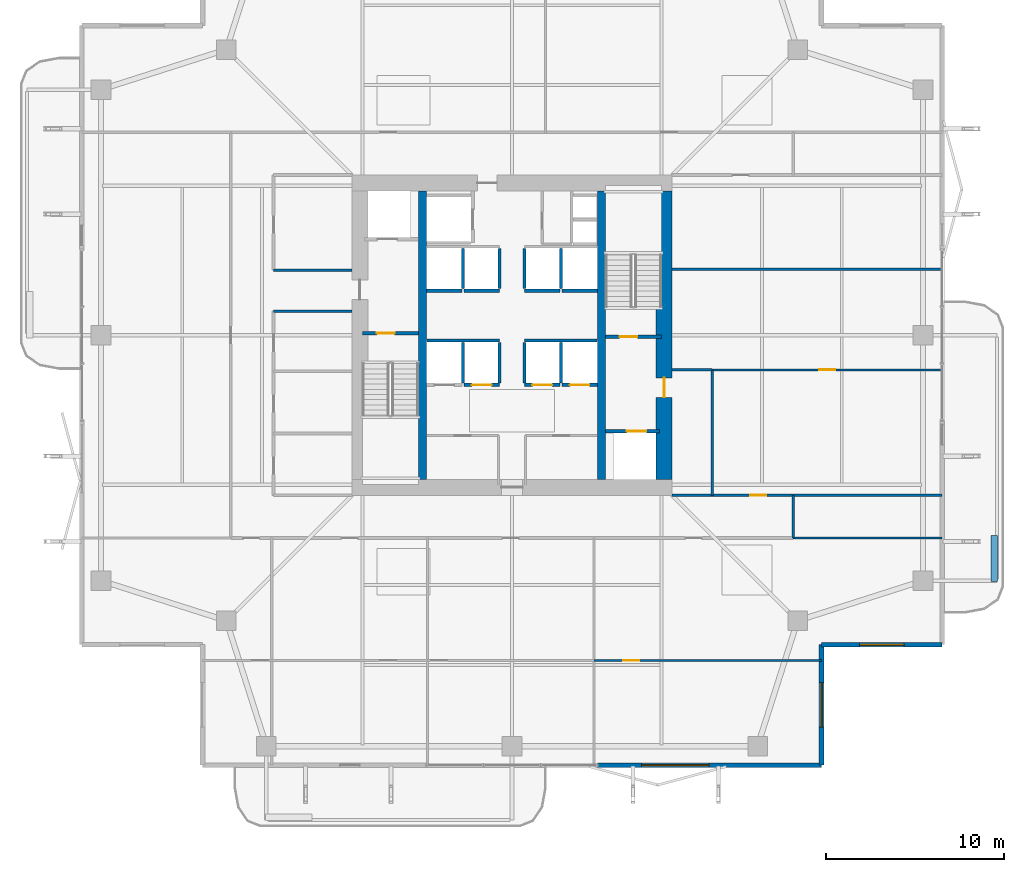
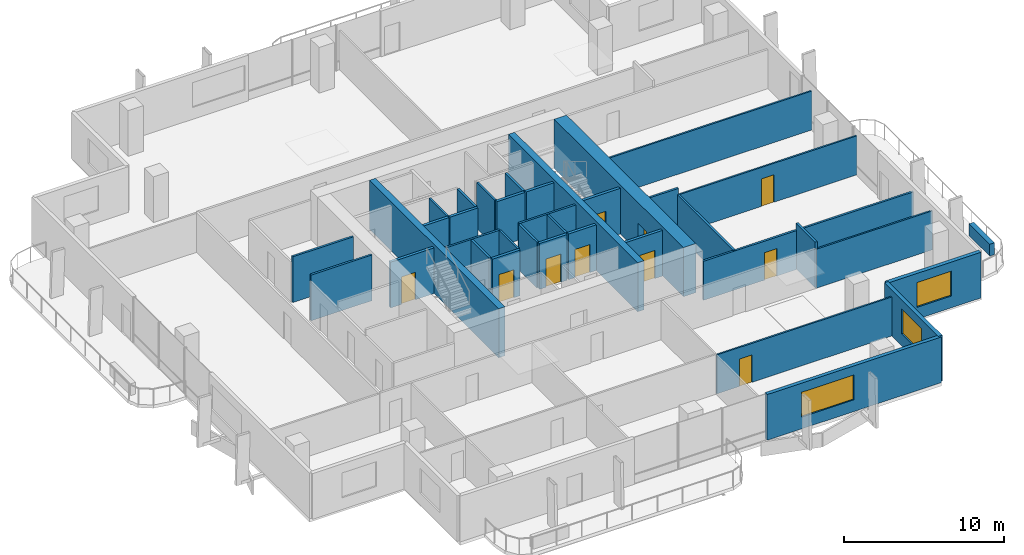
# One storey, part 20 of 25: 37 walls, 10 doors, 3 windows, 13 openings.
"""IFC4 building model written with IfcOpenShell, lengths in metres."""

from ifc_helpers import new_model, si_unit, direction, frame, frame_2d, origin, place, context, subcontext, project, spatial, rectangle, extrude, material, layer, layer_set, type_object, element, fill, save


model = new_model("IFC4")

# Units and contexts
model_context = context("Model", 3, precision=1e-05, world=origin(), true_north=direction((0.0, 1.0)))
body_context = subcontext(model_context, "Body", "Model", "MODEL_VIEW")
ifc_project = project(units=[si_unit("LENGTHUNIT", "METRE"), si_unit("AREAUNIT", "SQUARE_METRE"), si_unit("VOLUMEUNIT", "CUBIC_METRE"), si_unit("PLANEANGLEUNIT", "RADIAN"), si_unit("MASSUNIT", "GRAM", prefix="KILO")], contexts=[model_context])

# Site, building, storey
site_placement = place(None, origin())
site = spatial("IfcSite", under=ifc_project, at=site_placement, CompositionType="ELEMENT")
building_placement = place(site_placement, origin())
building = spatial("IfcBuilding", under=site, at=building_placement, Name="Belovzor Exchange Tower", CompositionType="ELEMENT")
storey_placement = place(building_placement, frame((0.0, 0.0, 149.550048828125)))
storey = spatial("IfcBuildingStorey", under=building, at=storey_placement, Name="L36", CompositionType="ELEMENT", Elevation=149.550048828125)

# Wall, opening, door
ifc_material_1 = material(Name="Acoustic Plasterboard on Galvanised Studs", Category="gypsum")
ifc_layer_1 = layer(ifc_material_1, 0.1201171875)
ifc_layer_set_1 = layer_set([ifc_layer_1], Name="Acoustic Plasterboard on Galvanised Studs")
wall_type_1 = type_object("IfcWallType", Name="Acoustic Double-Stud Partition Wall 120", PredefinedType="PARTITIONING", material=ifc_layer_set_1)
wall_1_placement = place(storey_placement, frame((33.404052734375, 10.51708984375, 0.0), z_axis=(0.0, 0.0, 1.0), x_axis=(1.0, 0.0, 0.0)))
wall_1 = element("IfcWall", 1, at=wall_1_placement, inside=storey, type_object=wall_type_1, Name="W-P120 Partition Wall W-L36-SHDIV-3", PredefinedType="PARTITIONING", context=body_context, shape_type="SweptSolid", body=[
    extrude(rectangle(XDim=12.7958984375, YDim=0.1201171875, at=frame_2d((6.39794921875, 0.0))), origin(), (0.0, 0.0, 1.0), 2.97998046875),
])
opening_1_placement = place(wall_1_placement, frame((1.636962890625, 0.0, 0.0)))
opening_1 = element("IfcOpeningElement", 2, at=opening_1_placement, cuts=wall_1, Name="Opening D-INT-090", PredefinedType="OPENING", context=body_context, shape_type="SweptSolid", body=[
    extrude(rectangle(XDim=0.89990234375, YDim=2.10009765625, at=frame_2d((0.449951171875, 1.050048828125))), frame((0.0, 0.070068359375, 0.0), z_axis=(0.0, -1.0, 0.0), x_axis=(1.0, 0.0, 0.0)), (0.0, 0.0, 1.0), 0.14013671875),
])
ifc_material_2 = material(Name="Veneered Hardwood Acoustic Leaf", Category="wood")
door_type_1 = type_object("IfcDoorType", Name="Trading Suite Acoustic Single Door 900x2100", OperationType="NOTDEFINED", PredefinedType="DOOR", material=ifc_material_2)
door_1_placement = place(opening_1_placement, origin())
door_1 = element("IfcDoor", 3, at=door_1_placement, inside=storey, type_object=door_type_1, Name="D-INT-090 Trading Suite Acoustic Single Door 900x2100", OperationType="SINGLE_SWING_LEFT", OverallHeight=2.10009765625, OverallWidth=0.89990234375, PredefinedType="DOOR", context=body_context, shape_type="SweptSolid", body=[
    extrude(rectangle(XDim=0.89990234375, YDim=2.10009765625, at=frame_2d((0.449951171875, 1.050048828125))), frame((0.0, 0.02490234375, 0.0), z_axis=(0.0, -1.0, 0.0), x_axis=(1.0, 0.0, 0.0)), (0.0, 0.0, 1.0), 0.050048828125),
])
fill(opening_1, door_1)

wall_2_placement = place(storey_placement, frame((40.050048828125, 26.85009765625, 0.0), z_axis=(0.0, 0.0, 1.0), x_axis=(1.0, 0.0, 0.0)))
wall_2 = element("IfcWall", 4, at=wall_2_placement, inside=storey, type_object=wall_type_1, Name="W-P120 Partition Wall W-L36-EDIV-1", PredefinedType="PARTITIONING", context=body_context, shape_type="SweptSolid", body=[
    extrude(rectangle(XDim=12.919921875, YDim=0.1201171875, at=frame_2d((6.4599609375, 0.0))), origin(), (0.0, 0.0, 1.0), 2.97998046875),
])
opening_2_placement = place(wall_2_placement, frame((6.010009765625, 0.0, 0.0)))
opening_2 = element("IfcOpeningElement", 5, at=opening_2_placement, cuts=wall_2, Name="Opening D-INT-090", PredefinedType="OPENING", context=body_context, shape_type="SweptSolid", body=[
    extrude(rectangle(XDim=0.89990234375, YDim=2.10009765625, at=frame_2d((0.449951171875, 1.050048828125))), frame((0.0, 0.070068359375, 0.0), z_axis=(0.0, -1.0, 0.0), x_axis=(1.0, 0.0, 0.0)), (0.0, 0.0, 1.0), 0.14013671875),
])
door_2_placement = place(opening_2_placement, origin())
door_2 = element("IfcDoor", 6, at=door_2_placement, inside=storey, type_object=door_type_1, Name="D-INT-090 Trading Suite Acoustic Single Door 900x2100", OperationType="SINGLE_SWING_LEFT", OverallHeight=2.10009765625, OverallWidth=0.89990234375, PredefinedType="DOOR", context=body_context, shape_type="SweptSolid", body=[
    extrude(rectangle(XDim=0.89990234375, YDim=2.10009765625, at=frame_2d((0.449951171875, 1.050048828125))), frame((0.0, 0.02490234375, 0.0), z_axis=(0.0, -1.0, 0.0), x_axis=(1.0, 0.0, 0.0)), (0.0, 0.0, 1.0), 0.050048828125),
])
fill(opening_2, door_2)

# Walls
wall_3_placement = place(storey_placement, frame((37.800048828125, 32.5, 0.0), z_axis=(0.0, 0.0, 1.0), x_axis=(1.0, 0.0, 0.0)))
element("IfcWall", 7, at=wall_3_placement, inside=storey, type_object=wall_type_1, Name="W-P120 Partition Wall W-L36-EDIV-2", PredefinedType="PARTITIONING", context=body_context, shape_type="SweptSolid", body=[
    extrude(rectangle(XDim=15.169921875, YDim=0.1201171875, at=frame_2d((7.5849609375, 0.0))), origin(), (0.0, 0.0, 1.0), 2.97998046875),
])
wall_4_placement = place(storey_placement, frame((44.60009765625, 17.39990234375, 0.0), z_axis=(0.0, 0.0, 1.0), x_axis=(1.0, 0.0, 0.0)))
element("IfcWall", 8, at=wall_4_placement, inside=storey, type_object=wall_type_1, Name="W-P120 Partition Wall W-L36-END-SE", PredefinedType="PARTITIONING", context=body_context, shape_type="SweptSolid", body=[
    extrude(rectangle(XDim=8.369873046875, YDim=0.1201171875, at=frame_2d((4.18505859375, 0.0))), origin(), (0.0, 0.0, 1.0), 2.97998046875),
])
ifc_material_3 = material(Name="Fire-Rated Gypsum Block and Mineral Wool", Category="gypsum")
ifc_layer_2 = layer(ifc_material_3, 0.14990234375)
ifc_layer_set_2 = layer_set([ifc_layer_2], Name="Fire-Rated Gypsum Block and Mineral Wool")
wall_type_2 = type_object("IfcWallType", Name="Fire-Rated Gypsum Block Corridor Wall 150", PredefinedType="PARTITIONING", material=ifc_layer_set_2)
for number, where, z_axis, x_axis, name in (
    (9, (15.39990234375, 30.14990234375, 0.0), (0.0, 0.0, 1.0), (1.0, 0.0, 0.0), "W-P150 Partition Wall W-L36-WIC-N"),
    (10, (15.39990234375, 32.449951171875, 0.0), (0.0, 0.0, 1.0), (1.0, 0.0, 0.0), "W-P150 Partition Wall W-L36-CFW-N"),
):
    element("IfcWall", number, at=place(storey_placement, frame(where, z_axis=z_axis, x_axis=x_axis)), inside=storey, type_object=wall_type_2, Name=name, PredefinedType="PARTITIONING", context=body_context, shape_type="SweptSolid", body=[
        extrude(rectangle(XDim=4.400146484375, YDim=0.14990234375, at=frame_2d((2.2001953125, 0.0))), origin(), (0.0, 0.0, 1.0), 3.494873046875),
    ])
wall_5_placement = place(storey_placement, frame((37.800048828125, 26.85009765625, 0.0), z_axis=(0.0, 0.0, 1.0), x_axis=(1.0, 0.0, 0.0)))
element("IfcWall", 11, at=wall_5_placement, inside=storey, type_object=wall_type_2, Name="W-P150 Partition Wall W-L36-CFE-N", PredefinedType="PARTITIONING", context=body_context, shape_type="SweptSolid", body=[
    extrude(rectangle(XDim=2.25, YDim=0.14990234375, at=frame_2d((1.125, 0.0))), origin(), (0.0, 0.0, 1.0), 3.494873046875),
])
wall_6_placement = place(storey_placement, frame((40.050048828125, 19.800048828125, 0.0), z_axis=(0.0, 0.0, 1.0), x_axis=(0.0, 1.0, 0.0)))
element("IfcWall", 12, at=wall_6_placement, inside=storey, type_object=wall_type_2, Name="W-P150 Partition Wall W-L36-CFE-E", PredefinedType="PARTITIONING", context=body_context, shape_type="SweptSolid", body=[
    extrude(rectangle(XDim=7.050048828125, YDim=0.14990234375, at=frame_2d((3.52490234375, 0.0))), origin(), (0.0, 0.0, 1.0), 3.030029296875),
])
wall_7_placement = place(storey_placement, frame((44.60009765625, 17.39990234375, 0.0), z_axis=(0.0, 0.0, 1.0), x_axis=(0.0, 1.0, 0.0)))
element("IfcWall", 13, at=wall_7_placement, inside=storey, type_object=wall_type_2, Name="W-P150 Partition Wall W-L36-END-ES", PredefinedType="PARTITIONING", context=body_context, shape_type="SweptSolid", body=[
    extrude(rectangle(XDim=2.400146484375, YDim=0.14990234375, at=frame_2d((1.2001953125, 0.0))), origin(), (0.0, 0.0, 1.0), 3.494873046875),
])

# Wall, opening, door
wall_8_placement = place(storey_placement, frame((37.800048828125, 19.800048828125, 0.0), z_axis=(0.0, 0.0, 1.0), x_axis=(1.0, 0.0, 0.0)))
wall_8 = element("IfcWall", 14, at=wall_8_placement, inside=storey, type_object=wall_type_2, Name="W-P150 Partition Wall W-L36-CS-IN", PredefinedType="PARTITIONING", context=body_context, shape_type="SweptSolid", body=[
    extrude(rectangle(XDim=15.169921875, YDim=0.14990234375, at=frame_2d((7.5849609375, 0.0))), origin(), (0.0, 0.0, 1.0), 2.97998046875),
])
opening_3_placement = place(wall_8_placement, frame((4.39990234375, 0.0, 0.0)))
opening_3 = element("IfcOpeningElement", 15, at=opening_3_placement, cuts=wall_8, Name="Opening D-INT-090", PredefinedType="OPENING", context=body_context, shape_type="SweptSolid", body=[
    extrude(rectangle(XDim=0.89990234375, YDim=2.10009765625, at=frame_2d((0.449951171875, 1.050048828125))), frame((0.0, 0.0849609375, 0.0), z_axis=(0.0, -1.0, 0.0), x_axis=(1.0, 0.0, 0.0)), (0.0, 0.0, 1.0), 0.169921875),
])
door_3_placement = place(opening_3_placement, origin())
door_3 = element("IfcDoor", 16, at=door_3_placement, inside=storey, type_object=door_type_1, Name="D-INT-090 Trading Suite Acoustic Single Door 900x2100", OperationType="SINGLE_SWING_LEFT", OverallHeight=2.10009765625, OverallWidth=0.89990234375, PredefinedType="DOOR", context=body_context, shape_type="SweptSolid", body=[
    extrude(rectangle(XDim=0.89990234375, YDim=2.10009765625, at=frame_2d((0.449951171875, 1.050048828125))), frame((0.0, 0.02490234375, 0.0), z_axis=(0.0, -1.0, 0.0), x_axis=(1.0, 0.0, 0.0)), (0.0, 0.0, 1.0), 0.050048828125),
])
fill(opening_3, door_3)

# Wall, opening, window
ifc_material_4 = material(Name="Precast concrete C40/50", Category="concrete")
ifc_layer_3 = layer(ifc_material_4, 0.280029296875)
ifc_layer_set_3 = layer_set([ifc_layer_3], Name="Precast concrete C40/50")
wall_type_3 = type_object("IfcWallType", Name="Precast Concrete Notched Corner Frame Wall 280", PredefinedType="SOLIDWALL", material=ifc_layer_set_3)
wall_9_placement = place(storey_placement, frame((52.969970703125, 11.39990234375, 0.0), z_axis=(0.0, 0.0, 1.0), x_axis=(-1.0, 0.0, 0.0)))
wall_9 = element("IfcWall", 17, at=wall_9_placement, inside=storey, type_object=wall_type_3, Name="W-CRN280 Precast Concrete Notched Corner Frame Wall 280 L36", PredefinedType="SOLIDWALL", context=body_context, shape_type="SweptSolid", body=[
    extrude(rectangle(XDim=6.77001953125, YDim=0.280029296875, at=frame_2d((3.385009765625, 0.0))), origin(), (0.0, 0.0, 1.0), 3.494873046875),
])
opening_4_placement = place(wall_9_placement, frame((2.135009765625, 0.0, 0.89990234375)))
opening_4 = element("IfcOpeningElement", 18, at=opening_4_placement, cuts=wall_9, Name="Opening WN-CRN250", PredefinedType="OPENING", context=body_context, shape_type="SweptSolid", body=[
    extrude(rectangle(XDim=2.5, YDim=1.89990234375, at=frame_2d((1.25, 0.949951171875))), frame((0.0, 0.14990234375, 0.0), z_axis=(0.0, -1.0, 0.0), x_axis=(1.0, 0.0, 0.0)), (0.0, 0.0, 1.0), 0.300048828125),
])
ifc_material_5 = material(Name="Thermally Broken Aluminium and Triple Glazing", Category="aluminium")
window_type_1 = type_object("IfcWindowType", Name="Streamline Moderne Corner Wrap Ribbon Window 2500x1900", PartitioningType="SINGLE_PANEL", PredefinedType="WINDOW", material=ifc_material_5)
window_1_placement = place(opening_4_placement, origin())
window_1 = element("IfcWindow", 19, at=window_1_placement, inside=storey, type_object=window_type_1, Name="WN-CRN250 Streamline Moderne Corner Wrap Ribbon Window 2500x1900", OverallHeight=1.89990234375, OverallWidth=2.5, PartitioningType="SINGLE_PANEL", PredefinedType="WINDOW", context=body_context, shape_type="SweptSolid", body=[
    extrude(rectangle(XDim=2.5, YDim=1.89990234375, at=frame_2d((1.25, 0.949951171875))), frame((0.0, 0.030029296875, 0.0), z_axis=(0.0, -1.0, 0.0), x_axis=(1.0, 0.0, 0.0)), (0.0, 0.0, 1.0), 0.06005859375),
])
fill(opening_4, window_1)

wall_10_placement = place(storey_placement, frame((46.199951171875, 11.39990234375, 0.0), z_axis=(0.0, 0.0, 1.0), x_axis=(0.0, -1.0, 0.0)))
wall_10 = element("IfcWall", 20, at=wall_10_placement, inside=storey, type_object=wall_type_3, Name="W-CRN280 Precast Concrete Notched Corner Frame Wall 280 L36", PredefinedType="SOLIDWALL", context=body_context, shape_type="SweptSolid", body=[
    extrude(rectangle(XDim=6.77001953125, YDim=0.280029296875, at=frame_2d((3.385009765625, 0.0))), origin(), (0.0, 0.0, 1.0), 3.494873046875),
])
opening_5_placement = place(wall_10_placement, frame((2.135009765625, 0.0, 0.89990234375)))
opening_5 = element("IfcOpeningElement", 21, at=opening_5_placement, cuts=wall_10, Name="Opening WN-CRN250", PredefinedType="OPENING", context=body_context, shape_type="SweptSolid", body=[
    extrude(rectangle(XDim=2.5, YDim=1.89990234375, at=frame_2d((1.25, 0.949951171875))), frame((0.0, 0.14990234375, 0.0), z_axis=(0.0, -1.0, 0.0), x_axis=(1.0, 0.0, 0.0)), (0.0, 0.0, 1.0), 0.300048828125),
])
window_2_placement = place(opening_5_placement, origin())
window_2 = element("IfcWindow", 22, at=window_2_placement, inside=storey, type_object=window_type_1, Name="WN-CRN250 Streamline Moderne Corner Wrap Ribbon Window 2500x1900", OverallHeight=1.89990234375, OverallWidth=2.5, PartitioningType="SINGLE_PANEL", PredefinedType="WINDOW", context=body_context, shape_type="SweptSolid", body=[
    extrude(rectangle(XDim=2.5, YDim=1.89990234375, at=frame_2d((1.25, 0.949951171875))), frame((0.0, 0.030029296875, 0.0), z_axis=(0.0, -1.0, 0.0), x_axis=(1.0, 0.0, 0.0)), (0.0, 0.0, 1.0), 0.06005859375),
])
fill(opening_5, window_2)

ifc_material_6 = material(Name="Precast concrete C40/50", Category="concrete")
ifc_layer_4 = layer(ifc_material_6, 0.260009765625)
ifc_layer_set_4 = layer_set([ifc_layer_4], Name="Precast concrete C40/50")
wall_type_4 = type_object("IfcWallType", Name="Precast Concrete Perimeter Loggia Frame Wall 260", PredefinedType="SOLIDWALL", material=ifc_layer_set_4)
wall_11_placement = place(storey_placement, frame((46.199951171875, 4.6298828125, 0.0), z_axis=(0.0, 0.0, 1.0), x_axis=(-1.0, 0.0, 0.0)))
wall_11 = element("IfcWall", 23, at=wall_11_placement, inside=storey, type_object=wall_type_4, Name="W-EXT260 Precast Concrete Perimeter Loggia Frame Wall 260 L36", PredefinedType="SOLIDWALL", context=body_context, shape_type="SweptSolid", body=[
    extrude(rectangle(XDim=12.599853515625, YDim=0.260009765625, at=frame_2d((6.2998046875, 0.0))), origin(), (0.0, 0.0, 1.0), 3.494873046875),
])
opening_6_placement = place(wall_11_placement, frame((6.31494140625, 0.0, 0.89990234375)))
opening_6 = element("IfcOpeningElement", 24, at=opening_6_placement, cuts=wall_11, Name="Opening WN-RIB380", PredefinedType="OPENING", context=body_context, shape_type="SweptSolid", body=[
    extrude(rectangle(XDim=3.800048828125, YDim=1.89990234375, at=frame_2d((1.89990234375, 0.949951171875))), frame((0.0, 0.139892578125, 0.0), z_axis=(0.0, -1.0, 0.0), x_axis=(1.0, 0.0, 0.0)), (0.0, 0.0, 1.0), 0.280029296875),
])
ifc_material_7 = material(Name="Thermally Broken Aluminium and Triple Glazing", Category="aluminium")
window_type_2 = type_object("IfcWindowType", Name="Streamline Moderne Horizontal Ribbon Window 3800x1900", PartitioningType="SINGLE_PANEL", PredefinedType="WINDOW", material=ifc_material_7)
window_3_placement = place(opening_6_placement, origin())
window_3 = element("IfcWindow", 25, at=window_3_placement, inside=storey, type_object=window_type_2, Name="WN-RIB380 Streamline Moderne Horizontal Ribbon Window 3800x1900", OverallHeight=1.89990234375, OverallWidth=3.800048828125, PartitioningType="SINGLE_PANEL", PredefinedType="WINDOW", context=body_context, shape_type="SweptSolid", body=[
    extrude(rectangle(XDim=3.800048828125, YDim=1.89990234375, at=frame_2d((1.89990234375, 0.949951171875))), frame((0.0, 0.030029296875, 0.0), z_axis=(0.0, -1.0, 0.0), x_axis=(1.0, 0.0, 0.0)), (0.0, 0.0, 1.0), 0.06005859375),
])
fill(opening_6, window_3)

# Walls
ifc_material_8 = material(Name="Precast concrete C40/50", Category="concrete")
ifc_layer_5 = layer(ifc_material_8, 0.35009765625)
ifc_layer_set_5 = layer_set([ifc_layer_5], Name="Precast concrete C40/50")
wall_type_5 = type_object("IfcWallType", Name="Precast Concrete Structural Tree Planter Trough 350", PredefinedType="PARAPET", material=ifc_layer_set_5)
wall_12_placement = place(storey_placement, frame((55.89990234375, 14.949951171875, 0.0), z_axis=(0.0, 0.0, 1.0), x_axis=(0.0, 1.0, 0.0)))
element("IfcWall", 26, at=wall_12_placement, inside=storey, type_object=wall_type_5, Name="PT-350 Precast Concrete Structural Tree Planter Trough 350 L36", PredefinedType="PARAPET", context=body_context, shape_type="SweptSolid", body=[
    extrude(rectangle(XDim=2.60009765625, YDim=0.35009765625, at=frame_2d((1.300048828125, 0.0))), origin(), (0.0, 0.0, 1.0), 0.89990234375),
])
ifc_material_9 = material(Name="Concrete C50/60", Category="concrete")
ifc_layer_6 = layer(ifc_material_9, 0.449951171875)
ifc_layer_set_6 = layer_set([ifc_layer_6], Name="Concrete C50/60")
wall_type_6 = type_object("IfcWallType", Name="Reinforced Concrete Core Internal Web Wall 450", PredefinedType="SHEAR", material=ifc_layer_set_6)
for number, where, z_axis, x_axis, name in (
    (27, (23.77490234375, 20.699951171875, 0.0), (0.0, 0.0, 1.0), (0.0, 1.0, 0.0), "CW-W045 Core Internal Web Wall L36 WL"),
    (28, (33.824951171875, 20.699951171875, 0.0), (0.0, 0.0, 1.0), (0.0, 1.0, 0.0), "CW-W045 Core Internal Web Wall L36 ER"),
):
    element("IfcWall", number, at=place(storey_placement, frame(where, z_axis=z_axis, x_axis=x_axis)), inside=storey, type_object=wall_type_6, Name=name, PredefinedType="SHEAR", context=body_context, shape_type="SweptSolid", body=[
        extrude(rectangle(XDim=16.199951171875, YDim=0.449951171875, at=frame_2d((8.10009765625, 0.0))), origin(), (0.0, 0.0, 1.0), 3.75),
    ])
ifc_material_10 = material(Name="Concrete C50/60", Category="concrete")
ifc_layer_7 = layer(ifc_material_10, 0.14990234375)
ifc_layer_set_7 = layer_set([ifc_layer_7], Name="Concrete C50/60")
wall_type_7 = type_object("IfcWallType", Name="Reinforced Concrete Core Riser Shear Wall 150", PredefinedType="SHEAR", material=ifc_layer_set_7)
for number, where, z_axis, x_axis, name in (
    (29, (24.02001953125, 28.5, 0.0), (0.0, 0.0, 1.0), (1.0, 0.0, 0.0), "W-C150S Core Shaft Wall W-SHB-L36-PLM-NW"),
    (30, (29.5, 28.5, 0.0), (0.0, 0.0, 1.0), (1.0, 0.0, 0.0), "W-C150S Core Shaft Wall W-SHB-L36-PLM-NE"),
):
    element("IfcWall", number, at=place(storey_placement, frame(where, z_axis=z_axis, x_axis=x_axis)), inside=storey, type_object=wall_type_7, Name=name, PredefinedType="SHEAR", context=body_context, shape_type="SweptSolid", body=[
        extrude(rectangle(XDim=4.080078125, YDim=0.14990234375, at=frame_2d((2.0400390625, 0.0))), origin(), (0.0, 0.0, 1.0), 3.494873046875),
    ])
for number, where, z_axis, x_axis, name in (
    (31, (26.050048828125, 26.1201171875, 0.0), (0.0, 0.0, 1.0), (0.0, 1.0, 0.0), "W-C150S Core Shaft Wall W-SHD-L36-PLM-1"),
    (32, (28.10009765625, 26.1201171875, 0.0), (0.0, 0.0, 1.0), (0.0, 1.0, 0.0), "W-C150S Core Shaft Wall W-SHD-L36-PLM-2"),
    (33, (29.5, 26.1201171875, 0.0), (0.0, 0.0, 1.0), (0.0, 1.0, 0.0), "W-C150S Core Shaft Wall W-SHD-L36-PLM-3"),
    (34, (31.550048828125, 26.1201171875, 0.0), (0.0, 0.0, 1.0), (0.0, 1.0, 0.0), "W-C150S Core Shaft Wall W-SHD-L36-PLM-4"),
):
    element("IfcWall", number, at=place(storey_placement, frame(where, z_axis=z_axis, x_axis=x_axis)), inside=storey, type_object=wall_type_7, Name=name, PredefinedType="SHEAR", context=body_context, shape_type="SweptSolid", body=[
        extrude(rectangle(XDim=2.27978515625, YDim=0.14990234375, at=frame_2d((1.139892578125, 0.0))), origin(), (0.0, 0.0, 1.0), 3.494873046875),
    ])
for number, where, z_axis, x_axis, name in (
    (35, (26.050048828125, 31.419921875, 0.0), (0.0, 0.0, 1.0), (0.0, 1.0, 0.0), "W-C150S Core Shaft Wall W-SHD-L36-PLH-1"),
    (36, (28.10009765625, 31.419921875, 0.0), (0.0, 0.0, 1.0), (0.0, 1.0, 0.0), "W-C150S Core Shaft Wall W-SHD-L36-PLH-2"),
    (37, (29.5, 31.419921875, 0.0), (0.0, 0.0, 1.0), (0.0, 1.0, 0.0), "W-C150S Core Shaft Wall W-SHD-L36-PLH-3"),
    (38, (31.550048828125, 31.419921875, 0.0), (0.0, 0.0, 1.0), (0.0, 1.0, 0.0), "W-C150S Core Shaft Wall W-SHD-L36-PLH-4"),
):
    element("IfcWall", number, at=place(storey_placement, frame(where, z_axis=z_axis, x_axis=x_axis)), inside=storey, type_object=wall_type_7, Name=name, PredefinedType="SHEAR", context=body_context, shape_type="SweptSolid", body=[
        extrude(rectangle(XDim=2.239990234375, YDim=0.14990234375, at=frame_2d((1.1201171875, 0.0))), origin(), (0.0, 0.0, 1.0), 3.494873046875),
    ])

# Wall, opening, door
ifc_material_11 = material(Name="Concrete C50/60", Category="concrete")
ifc_layer_8 = layer(ifc_material_11, 0.199951171875)
ifc_layer_set_8 = layer_set([ifc_layer_8], Name="Concrete C50/60")
wall_type_8 = type_object("IfcWallType", Name="Reinforced Concrete Core Shaft Shear Wall 200", PredefinedType="SHEAR", material=ifc_layer_set_8)
wall_13_placement = place(storey_placement, frame((20.39990234375, 28.89990234375, 0.0), z_axis=(0.0, 0.0, 1.0), x_axis=(1.0, 0.0, 0.0)))
wall_13 = element("IfcWall", 39, at=wall_13_placement, inside=storey, type_object=wall_type_8, Name="W-C200S Core Shaft Wall W-CORE-L36-FFLW1", PredefinedType="SHEAR", context=body_context, shape_type="SweptSolid", body=[
    extrude(rectangle(XDim=3.150146484375, YDim=0.199951171875, at=frame_2d((1.5751953125, 0.0))), origin(), (0.0, 0.0, 1.0), 3.494873046875),
])
opening_7_placement = place(wall_13_placement, frame((0.800048828125, 0.0, 0.0)))
opening_7 = element("IfcOpeningElement", 40, at=opening_7_placement, cuts=wall_13, Name="Opening D-FD90-100", PredefinedType="OPENING", context=body_context, shape_type="SweptSolid", body=[
    extrude(rectangle(XDim=1.0, YDim=2.10009765625, at=frame_2d((0.5, 1.050048828125))), frame((0.0, 0.10986328125, 0.0), z_axis=(0.0, -1.0, 0.0), x_axis=(1.0, 0.0, 0.0)), (0.0, 0.0, 1.0), 0.219970703125),
])
ifc_material_12 = material(Name="Fire-Rated Galvanised Steel Leaf", Category="steel")
door_type_2 = type_object("IfcDoorType", Name="Protected Stairwell Single Fire Door 1000x2100", OperationType="NOTDEFINED", PredefinedType="DOOR", material=ifc_material_12)
door_4_placement = place(opening_7_placement, origin())
door_4 = element("IfcDoor", 41, at=door_4_placement, inside=storey, type_object=door_type_2, Name="D-FD90-100 Protected Stairwell Single Fire Door 1000x2100", OperationType="SINGLE_SWING_RIGHT", OverallHeight=2.10009765625, OverallWidth=1.0, PredefinedType="DOOR", context=body_context, shape_type="SweptSolid", body=[
    extrude(rectangle(XDim=1.0, YDim=2.10009765625, at=frame_2d((0.5, 1.050048828125))), frame((0.0, 0.02490234375, 0.0), z_axis=(0.0, -1.0, 0.0), x_axis=(1.0, 0.0, 0.0)), (0.0, 0.0, 1.0), 0.050048828125),
])
fill(opening_7, door_4)

wall_14_placement = place(storey_placement, frame((34.050048828125, 28.699951171875, 0.0), z_axis=(0.0, 0.0, 1.0), x_axis=(1.0, 0.0, 0.0)))
wall_14 = element("IfcWall", 42, at=wall_14_placement, inside=storey, type_object=wall_type_8, Name="W-C200S Core Shaft Wall W-CORE-L36-FFLE2", PredefinedType="SHEAR", context=body_context, shape_type="SweptSolid", body=[
    extrude(rectangle(XDim=3.14990234375, YDim=0.199951171875, at=frame_2d((1.574951171875, 0.0))), origin(), (0.0, 0.0, 1.0), 3.494873046875),
])
opening_8_placement = place(wall_14_placement, frame((0.800048828125, 0.0, 0.0)))
opening_8 = element("IfcOpeningElement", 43, at=opening_8_placement, cuts=wall_14, Name="Opening D-FD90-100", PredefinedType="OPENING", context=body_context, shape_type="SweptSolid", body=[
    extrude(rectangle(XDim=1.0, YDim=2.10009765625, at=frame_2d((0.5, 1.050048828125))), frame((0.0, 0.10986328125, 0.0), z_axis=(0.0, -1.0, 0.0), x_axis=(1.0, 0.0, 0.0)), (0.0, 0.0, 1.0), 0.219970703125),
])
door_5_placement = place(opening_8_placement, origin())
door_5 = element("IfcDoor", 44, at=door_5_placement, inside=storey, type_object=door_type_2, Name="D-FD90-100 Protected Stairwell Single Fire Door 1000x2100", OperationType="SINGLE_SWING_LEFT", OverallHeight=2.10009765625, OverallWidth=1.0, PredefinedType="DOOR", context=body_context, shape_type="SweptSolid", body=[
    extrude(rectangle(XDim=1.0, YDim=2.10009765625, at=frame_2d((0.5, 1.050048828125))), frame((0.0, 0.02490234375, 0.0), z_axis=(0.0, -1.0, 0.0), x_axis=(1.0, 0.0, 0.0)), (0.0, 0.0, 1.0), 0.050048828125),
])
fill(opening_8, door_5)

wall_15_placement = place(storey_placement, frame((34.050048828125, 23.39990234375, 0.0), z_axis=(0.0, 0.0, 1.0), x_axis=(1.0, 0.0, 0.0)))
wall_15 = element("IfcWall", 45, at=wall_15_placement, inside=storey, type_object=wall_type_8, Name="W-C200S Core Shaft Wall W-SH-L36-FFL-02", PredefinedType="SHEAR", context=body_context, shape_type="SweptSolid", body=[
    extrude(rectangle(XDim=3.050048828125, YDim=0.199951171875, at=frame_2d((1.52490234375, 0.0))), origin(), (0.0, 0.0, 1.0), 3.494873046875),
])
opening_9_placement = place(wall_15_placement, frame((1.199951171875, 0.0, 0.0)))
opening_9 = element("IfcOpeningElement", 46, at=opening_9_placement, cuts=wall_15, Name="Opening LD-110", PredefinedType="OPENING", context=body_context, shape_type="SweptSolid", body=[
    extrude(rectangle(XDim=1.10009765625, YDim=2.14990234375, at=frame_2d((0.550048828125, 1.074951171875))), frame((0.0, 0.10986328125, 0.0), z_axis=(0.0, -1.0, 0.0), x_axis=(1.0, 0.0, 0.0)), (0.0, 0.0, 1.0), 0.219970703125),
])
ifc_material_13 = material(Name="Stainless Steel Grade 304", Category="steel")
door_type_3 = type_object("IfcDoorType", Name="Automated Stainless Steel Lift Landing Door 1100x2150", OperationType="SLIDING_TO_RIGHT", PredefinedType="DOOR", material=ifc_material_13)
door_6_placement = place(opening_9_placement, origin())
door_6 = element("IfcDoor", 47, at=door_6_placement, inside=storey, type_object=door_type_3, Name="LD-110 Automated Stainless Steel Lift Landing Door 1100x2150", OperationType="SLIDING_TO_RIGHT", OverallHeight=2.14990234375, OverallWidth=1.10009765625, PredefinedType="DOOR", context=body_context, shape_type="SweptSolid", body=[
    extrude(rectangle(XDim=1.10009765625, YDim=2.14990234375, at=frame_2d((0.550048828125, 1.074951171875))), frame((0.0, 0.02490234375, 0.0), z_axis=(0.0, -1.0, 0.0), x_axis=(1.0, 0.0, 0.0)), (0.0, 0.0, 1.0), 0.050048828125),
])
fill(opening_9, door_6)

wall_16_placement = place(storey_placement, frame((26.10009765625, 26.0, 0.0), z_axis=(0.0, 0.0, 1.0), x_axis=(1.0, 0.0, 0.0)))
wall_16 = element("IfcWall", 48, at=wall_16_placement, inside=storey, type_object=wall_type_8, Name="W-C200S Core Shaft Wall W-SH-L36-PL-M2", PredefinedType="SHEAR", context=body_context, shape_type="SweptSolid", body=[
    extrude(rectangle(XDim=2.0, YDim=0.199951171875, at=frame_2d((1.0, 0.0))), origin(), (0.0, 0.0, 1.0), 3.494873046875),
])
opening_10_placement = place(wall_16_placement, frame((0.449951171875, 0.0, 0.0)))
opening_10 = element("IfcOpeningElement", 49, at=opening_10_placement, cuts=wall_16, Name="Opening LD-110", PredefinedType="OPENING", context=body_context, shape_type="SweptSolid", body=[
    extrude(rectangle(XDim=1.10009765625, YDim=2.14990234375, at=frame_2d((0.550048828125, 1.074951171875))), frame((0.0, 0.10986328125, 0.0), z_axis=(0.0, -1.0, 0.0), x_axis=(1.0, 0.0, 0.0)), (0.0, 0.0, 1.0), 0.219970703125),
])
door_7_placement = place(opening_10_placement, origin())
door_7 = element("IfcDoor", 50, at=door_7_placement, inside=storey, type_object=door_type_3, Name="LD-110 Automated Stainless Steel Lift Landing Door 1100x2150", OperationType="SLIDING_TO_RIGHT", OverallHeight=2.14990234375, OverallWidth=1.10009765625, PredefinedType="DOOR", context=body_context, shape_type="SweptSolid", body=[
    extrude(rectangle(XDim=1.10009765625, YDim=2.14990234375, at=frame_2d((0.550048828125, 1.074951171875))), frame((0.0, 0.02490234375, 0.0), z_axis=(0.0, -1.0, 0.0), x_axis=(1.0, 0.0, 0.0)), (0.0, 0.0, 1.0), 0.050048828125),
])
fill(opening_10, door_7)

wall_17_placement = place(storey_placement, frame((29.5, 26.0, 0.0), z_axis=(0.0, 0.0, 1.0), x_axis=(1.0, 0.0, 0.0)))
wall_17 = element("IfcWall", 51, at=wall_17_placement, inside=storey, type_object=wall_type_8, Name="W-C200S Core Shaft Wall W-SH-L36-PL-M3", PredefinedType="SHEAR", context=body_context, shape_type="SweptSolid", body=[
    extrude(rectangle(XDim=2.0, YDim=0.199951171875, at=frame_2d((1.0, 0.0))), origin(), (0.0, 0.0, 1.0), 3.494873046875),
])
opening_11_placement = place(wall_17_placement, frame((0.449951171875, 0.0, 0.0)))
opening_11 = element("IfcOpeningElement", 52, at=opening_11_placement, cuts=wall_17, Name="Opening LD-110", PredefinedType="OPENING", context=body_context, shape_type="SweptSolid", body=[
    extrude(rectangle(XDim=1.10009765625, YDim=2.14990234375, at=frame_2d((0.550048828125, 1.074951171875))), frame((0.0, 0.10986328125, 0.0), z_axis=(0.0, -1.0, 0.0), x_axis=(1.0, 0.0, 0.0)), (0.0, 0.0, 1.0), 0.219970703125),
])
door_8_placement = place(opening_11_placement, origin())
door_8 = element("IfcDoor", 53, at=door_8_placement, inside=storey, type_object=door_type_3, Name="LD-110 Automated Stainless Steel Lift Landing Door 1100x2150", OperationType="SLIDING_TO_RIGHT", OverallHeight=2.14990234375, OverallWidth=1.10009765625, PredefinedType="DOOR", context=body_context, shape_type="SweptSolid", body=[
    extrude(rectangle(XDim=1.10009765625, YDim=2.14990234375, at=frame_2d((0.550048828125, 1.074951171875))), frame((0.0, 0.02490234375, 0.0), z_axis=(0.0, -1.0, 0.0), x_axis=(1.0, 0.0, 0.0)), (0.0, 0.0, 1.0), 0.050048828125),
])
fill(opening_11, door_8)

wall_18_placement = place(storey_placement, frame((31.60009765625, 26.0, 0.0), z_axis=(0.0, 0.0, 1.0), x_axis=(1.0, 0.0, 0.0)))
wall_18 = element("IfcWall", 54, at=wall_18_placement, inside=storey, type_object=wall_type_8, Name="W-C200S Core Shaft Wall W-SH-L36-PL-M4", PredefinedType="SHEAR", context=body_context, shape_type="SweptSolid", body=[
    extrude(rectangle(XDim=2.0, YDim=0.199951171875, at=frame_2d((1.0, 0.0))), origin(), (0.0, 0.0, 1.0), 3.494873046875),
])
opening_12_placement = place(wall_18_placement, frame((0.449951171875, 0.0, 0.0)))
opening_12 = element("IfcOpeningElement", 55, at=opening_12_placement, cuts=wall_18, Name="Opening LD-110", PredefinedType="OPENING", context=body_context, shape_type="SweptSolid", body=[
    extrude(rectangle(XDim=1.10009765625, YDim=2.14990234375, at=frame_2d((0.550048828125, 1.074951171875))), frame((0.0, 0.10986328125, 0.0), z_axis=(0.0, -1.0, 0.0), x_axis=(1.0, 0.0, 0.0)), (0.0, 0.0, 1.0), 0.219970703125),
])
door_9_placement = place(opening_12_placement, origin())
door_9 = element("IfcDoor", 56, at=door_9_placement, inside=storey, type_object=door_type_3, Name="LD-110 Automated Stainless Steel Lift Landing Door 1100x2150", OperationType="SLIDING_TO_RIGHT", OverallHeight=2.14990234375, OverallWidth=1.10009765625, PredefinedType="DOOR", context=body_context, shape_type="SweptSolid", body=[
    extrude(rectangle(XDim=1.10009765625, YDim=2.14990234375, at=frame_2d((0.550048828125, 1.074951171875))), frame((0.0, 0.02490234375, 0.0), z_axis=(0.0, -1.0, 0.0), x_axis=(1.0, 0.0, 0.0)), (0.0, 0.0, 1.0), 0.050048828125),
])
fill(opening_12, door_9)

# Walls
for number, where, z_axis, x_axis, name in (
    (57, (24.0, 31.300048828125, 0.0), (0.0, 0.0, 1.0), (1.0, 0.0, 0.0), "W-C200S Core Shaft Wall W-SH-L36-PL-H1"),
    (58, (26.10009765625, 31.300048828125, 0.0), (0.0, 0.0, 1.0), (1.0, 0.0, 0.0), "W-C200S Core Shaft Wall W-SH-L36-PL-H2"),
    (59, (29.5, 31.300048828125, 0.0), (0.0, 0.0, 1.0), (1.0, 0.0, 0.0), "W-C200S Core Shaft Wall W-SH-L36-PL-H3"),
    (60, (31.60009765625, 31.300048828125, 0.0), (0.0, 0.0, 1.0), (1.0, 0.0, 0.0), "W-C200S Core Shaft Wall W-SH-L36-PL-H4"),
):
    element("IfcWall", number, at=place(storey_placement, frame(where, z_axis=z_axis, x_axis=x_axis)), inside=storey, type_object=wall_type_8, Name=name, PredefinedType="SHEAR", context=body_context, shape_type="SweptSolid", body=[
        extrude(rectangle(XDim=2.0, YDim=0.199951171875, at=frame_2d((1.0, 0.0))), origin(), (0.0, 0.0, 1.0), 3.494873046875),
    ])

# Wall, opening, door
ifc_material_14 = material(Name="Concrete C60/75", Category="concrete")
ifc_layer_9 = layer(ifc_material_14, 0.89990234375)
ifc_layer_set_9 = layer_set([ifc_layer_9], Name="Concrete C60/75")
wall_type_9 = type_object("IfcWallType", Name="Reinforced Concrete Core Shear Wall 900", PredefinedType="SHEAR", material=ifc_layer_set_9)
wall_19_placement = place(storey_placement, frame((37.35009765625, 20.699951171875, 0.0), z_axis=(0.0, 0.0, 1.0), x_axis=(0.0, 1.0, 0.0)))
wall_19 = element("IfcWall", 61, at=wall_19_placement, inside=storey, type_object=wall_type_9, Name="CW-S090 Core Shear Wall L36 E", PredefinedType="SHEAR", context=body_context, shape_type="SweptSolid", body=[
    extrude(rectangle(XDim=16.199951171875, YDim=0.89990234375, at=frame_2d((8.10009765625, 0.0))), origin(), (0.0, 0.0, 1.0), 3.75),
])
opening_13_placement = place(wall_19_placement, frame((4.60009765625, 0.0, 0.0)))
opening_13 = element("IfcOpeningElement", 62, at=opening_13_placement, cuts=wall_19, Name="Opening D-FD90-110", PredefinedType="OPENING", context=body_context, shape_type="SweptSolid", body=[
    extrude(rectangle(XDim=1.10009765625, YDim=2.14990234375, at=frame_2d((0.550048828125, 1.074951171875))), frame((0.0, 0.4599609375, 0.0), z_axis=(0.0, -1.0, 0.0), x_axis=(1.0, 0.0, 0.0)), (0.0, 0.0, 1.0), 0.919921875),
])
ifc_material_15 = material(Name="Fire-Rated Galvanised Steel Leaf", Category="steel")
door_type_4 = type_object("IfcDoorType", Name="Protected Escape Vestibule Fire Door 1100x2150", OperationType="NOTDEFINED", PredefinedType="DOOR", material=ifc_material_15)
door_10_placement = place(opening_13_placement, origin())
door_10 = element("IfcDoor", 63, at=door_10_placement, inside=storey, type_object=door_type_4, Name="D-FD90-110 Protected Escape Vestibule Fire Door 1100x2150", OperationType="SINGLE_SWING_RIGHT", OverallHeight=2.14990234375, OverallWidth=1.10009765625, PredefinedType="DOOR", context=body_context, shape_type="SweptSolid", body=[
    extrude(rectangle(XDim=1.10009765625, YDim=2.14990234375, at=frame_2d((0.550048828125, 1.074951171875))), frame((0.0, 0.02490234375, 0.0), z_axis=(0.0, -1.0, 0.0), x_axis=(1.0, 0.0, 0.0)), (0.0, 0.0, 1.0), 0.050048828125),
])
fill(opening_13, door_10)

save(model, "model.ifc")
